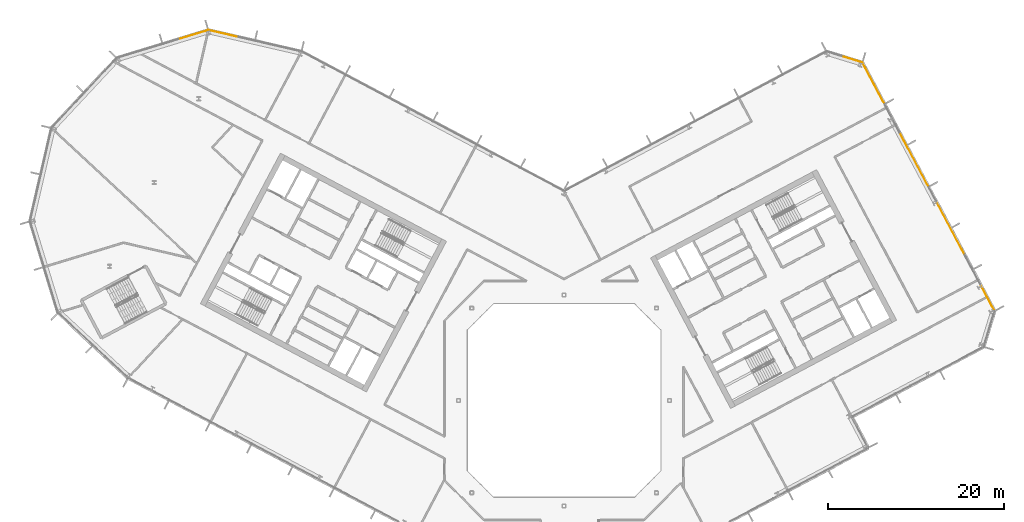
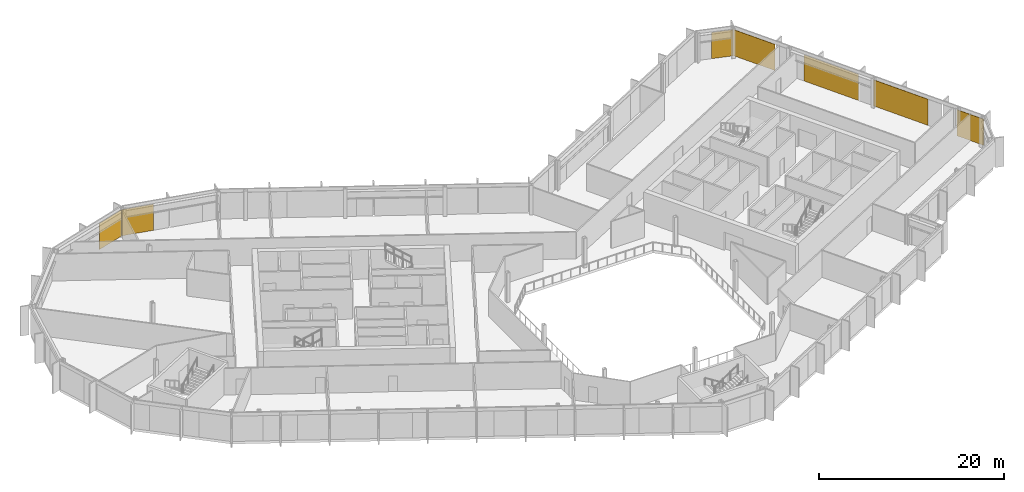
# One storey, part 26 of 26: 7 coverings, 4 elements without a shape of their own.
"""IFC4 building model written with IfcOpenShell, lengths in metres."""

from ifc_helpers import new_model, si_unit, direction, frame, origin, origin_2d, place, context, subcontext, project, spatial, rectangle, extrude, material, layer, layer_set, type_object, element, aggregate, save


model = new_model("IFC4")

# Units and contexts
model_context = context("Model", 3, precision=1e-05, world=origin(), true_north=direction((0.0, 1.0)))
body_context = subcontext(model_context, "Body", "Model", "MODEL_VIEW")
ifc_project = project(units=[si_unit("LENGTHUNIT", "METRE"), si_unit("AREAUNIT", "SQUARE_METRE"), si_unit("VOLUMEUNIT", "CUBIC_METRE"), si_unit("PLANEANGLEUNIT", "RADIAN"), si_unit("MASSUNIT", "GRAM", prefix="KILO")], contexts=[model_context])

# Site, building, storey
site_placement = place(None, origin())
site = spatial("IfcSite", under=ifc_project, at=site_placement, CompositionType="ELEMENT")
building_placement = place(site_placement, origin())
building = spatial("IfcBuilding", under=site, at=building_placement, Name="Cormorant Relay Tower", CompositionType="ELEMENT")
storey_placement = place(building_placement, frame((0.0, 0.0, 228.60009765625)))
storey = spatial("IfcBuildingStorey", under=building, at=storey_placement, Name="L50", CompositionType="ELEMENT", Elevation=228.60009765625)

# Curtain wall, coverings
ifc_material_1 = material(Name="Aluminium 6063-T6 anodised bronze", Category="aluminium")
ifc_layer_1 = layer(ifc_material_1, 0.199951171875)
ifc_layer_set_1 = layer_set([ifc_layer_1], Name="CW1 unitised bronze curtain wall with vertical fins")
curtain_wall_type = type_object("IfcCurtainWallType", Name="CW1 unitised bronze curtain wall with vertical fins", PredefinedType="NOTDEFINED", material=ifc_layer_set_1)
curtain_wall_1_placement = place(storey_placement, origin())
curtain_wall_1 = element("IfcCurtainWall", 1, at=curtain_wall_1_placement, inside=storey, type_object=curtain_wall_type, Name="CW1 curtain wall 6", PredefinedType="NOTDEFINED")
ifc_material_2 = material(Name="Pale bronze anodised aluminium insulated panel", Category="aluminium")
ifc_layer_2 = layer(ifc_material_2, 0.0400390625)
ifc_layer_set_2 = layer_set([ifc_layer_2], Name="CW1 pale bronze insulated panel 40")
covering_type = type_object("IfcCoveringType", Name="CW1 pale bronze insulated panel 40", PredefinedType="CLADDING", material=ifc_layer_set_2)
covering_1_placement = place(storey_placement, frame((48.142333984375, 11.74267578125, 0.0), z_axis=(0.0, 0.0, 1.0), x_axis=(-0.469471562786, 0.882947592859, 0.0)))
covering_1 = element("IfcCovering", 2, at=covering_1_placement, type_object=covering_type, Name="CW1 panel S00", PredefinedType="CLADDING", context=body_context, shape_type="SweptSolid", body=[
    extrude(rectangle(XDim=3.38330078125, YDim=0.0400390625, at=origin_2d()), origin(), (0.0, 0.0, 1.0), 3.449951171875),
])
covering_2_placement = place(storey_placement, frame((43.964111328125, 19.600830078125, 0.0), z_axis=(0.0, 0.0, 1.0), x_axis=(-0.469471562786, 0.882947592859, 0.0)))
covering_2 = element("IfcCovering", 3, at=covering_2_placement, type_object=covering_type, Name="CW1 panel S03", PredefinedType="CLADDING", context=body_context, shape_type="SweptSolid", body=[
    extrude(rectangle(XDim=6.916748046875, YDim=0.0400390625, at=origin_2d()), origin(), (0.0, 0.0, 1.0), 3.449951171875),
])
covering_3_placement = place(storey_placement, frame((39.801513671875, 27.4296875, 0.0), z_axis=(0.0, 0.0, 1.0), x_axis=(-0.469471562786, 0.882947592859, 0.0)))
covering_3 = element("IfcCovering", 4, at=covering_3_placement, type_object=covering_type, Name="CW1 panel S05", PredefinedType="CLADDING", context=body_context, shape_type="SweptSolid", body=[
    extrude(rectangle(XDim=6.916748046875, YDim=0.0400390625, at=origin_2d()), origin(), (0.0, 0.0, 1.0), 3.449951171875),
])
covering_4_placement = place(storey_placement, frame((35.18310546875, 36.11572265625, 0.0), z_axis=(0.0, 0.0, 1.0), x_axis=(-0.469471562786, 0.882947592859, 0.0)))
covering_4 = element("IfcCovering", 5, at=covering_4_placement, type_object=covering_type, Name="CW1 panel S07", PredefinedType="CLADDING", context=body_context, shape_type="SweptSolid", body=[
    extrude(rectangle(XDim=5.25830078125, YDim=0.0400390625, at=origin_2d()), origin(), (0.0, 0.0, 1.0), 3.449951171875),
])
aggregate(curtain_wall_1, [covering_1, covering_2, covering_3, covering_4])

# Curtain wall, covering
curtain_wall_2_placement = place(storey_placement, origin())
curtain_wall_2 = element("IfcCurtainWall", 6, at=curtain_wall_2_placement, inside=storey, type_object=curtain_wall_type, Name="CW1 curtain wall 7", PredefinedType="NOTDEFINED")
covering_5_placement = place(storey_placement, frame((32.73291015625, 38.81494140625, 0.0), z_axis=(0.0, 0.0, 1.0), x_axis=(-0.956304755963, 0.292371704723, 0.0)))
covering_5 = element("IfcCovering", 7, at=covering_5_placement, type_object=covering_type, Name="CW1 panel S00", PredefinedType="CLADDING", context=body_context, shape_type="SweptSolid", body=[
    extrude(rectangle(XDim=2.36767578125, YDim=0.0400390625, at=origin_2d()), origin(), (0.0, 0.0, 1.0), 3.449951171875),
])
aggregate(curtain_wall_2, [covering_5])

curtain_wall_3_placement = place(storey_placement, origin())
curtain_wall_3 = element("IfcCurtainWall", 8, at=curtain_wall_3_placement, inside=storey, type_object=curtain_wall_type, Name="CW1 curtain wall 10", PredefinedType="NOTDEFINED")
covering_6_placement = place(storey_placement, frame((-38.7265625, 41.732421875, 0.0), z_axis=(0.0, 0.0, 1.0), x_axis=(-0.974370064785, 0.224951054344, 0.0)))
covering_6 = element("IfcCovering", 9, at=covering_6_placement, type_object=covering_type, Name="CW1 panel S03", PredefinedType="CLADDING", context=body_context, shape_type="SweptSolid", body=[
    extrude(rectangle(XDim=3.560302734375, YDim=0.0400390625, at=origin_2d()), origin(), (0.0, 0.0, 1.0), 3.449951171875),
])
aggregate(curtain_wall_3, [covering_6])

curtain_wall_4_placement = place(storey_placement, origin())
curtain_wall_4 = element("IfcCurtainWall", 10, at=curtain_wall_4_placement, inside=storey, type_object=curtain_wall_type, Name="CW1 curtain wall 11", PredefinedType="NOTDEFINED")
covering_7_placement = place(storey_placement, frame((-42.209716796875, 41.60107421875, 0.0), z_axis=(0.0, 0.0, 1.0), x_axis=(-0.956304755963, -0.292371704723, 0.0)))
covering_7 = element("IfcCovering", 11, at=covering_7_placement, type_object=covering_type, Name="CW1 panel S00", PredefinedType="CLADDING", context=body_context, shape_type="SweptSolid", body=[
    extrude(rectangle(XDim=3.485107421875, YDim=0.0400390625, at=origin_2d()), origin(), (0.0, 0.0, 1.0), 3.449951171875),
])
aggregate(curtain_wall_4, [covering_7])

save(model, "model.ifc")
